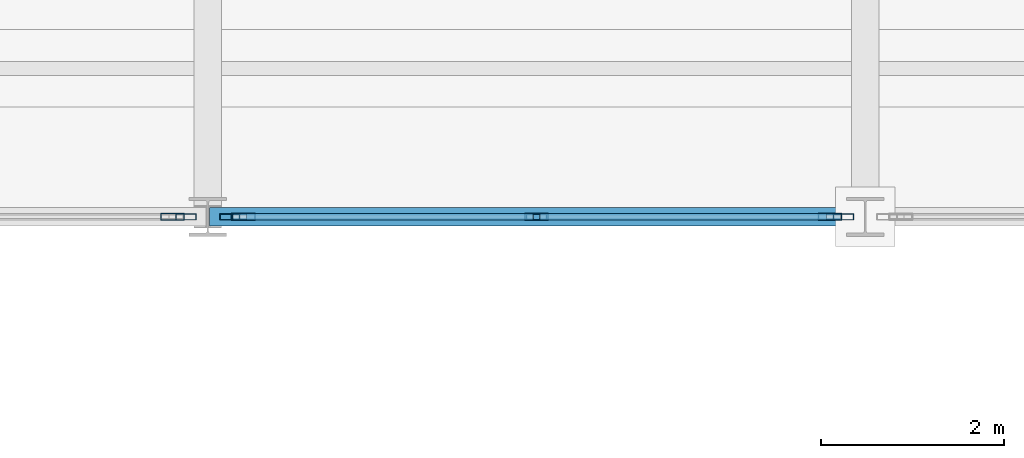
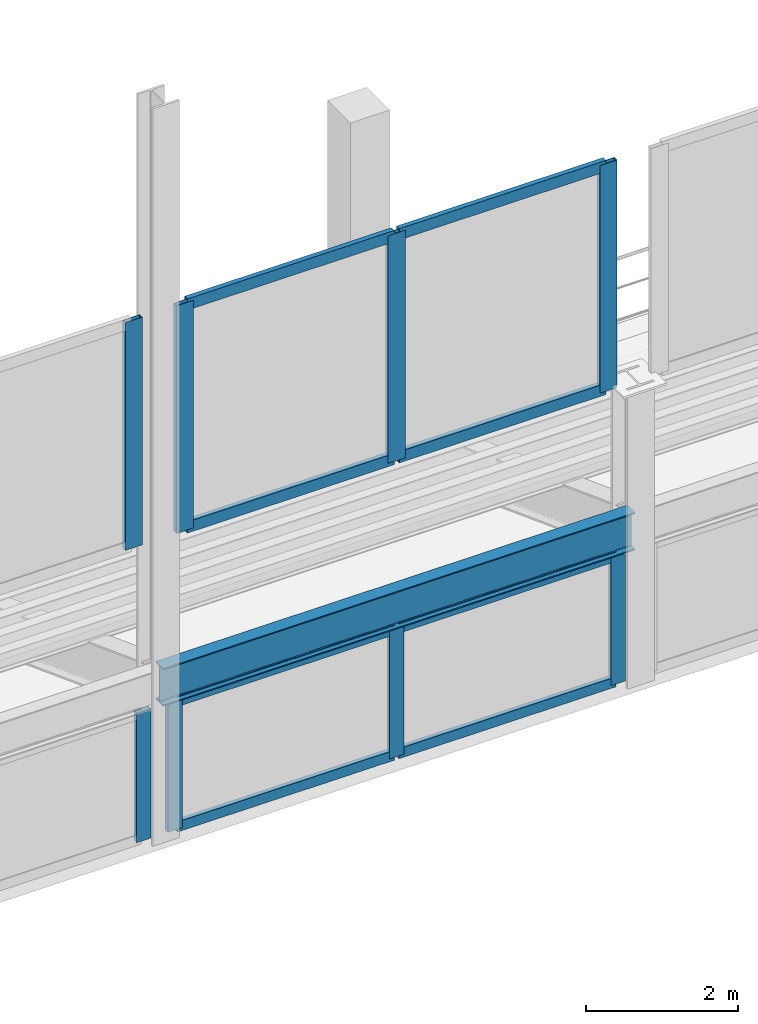
# One storey, part 26 of 120: 16 members, 1 beam, 4 elements without a shape of their own.
"""IFC4 building model written with IfcOpenShell, lengths in metres."""

from ifc_helpers import new_model, si_unit, direction, frame, origin, origin_2d, place, context, subcontext, project, spatial, hollow_rectangle, i_section, extrude, material, material_profile, profile_set, type_object, element, aggregate, save


model = new_model("IFC4")

# Units and contexts
model_context = context("Model", 3, precision=1e-05, world=origin(), true_north=direction((0.0, 1.0)))
body_context = subcontext(model_context, "Body", "Model", "MODEL_VIEW")
ifc_project = project(units=[si_unit("LENGTHUNIT", "METRE"), si_unit("AREAUNIT", "SQUARE_METRE"), si_unit("VOLUMEUNIT", "CUBIC_METRE"), si_unit("PLANEANGLEUNIT", "RADIAN"), si_unit("MASSUNIT", "GRAM", prefix="KILO")], contexts=[model_context])

# Site, building, storey
site_placement = place(None, origin())
site = spatial("IfcSite", under=ifc_project, at=site_placement, CompositionType="ELEMENT")
building_placement = place(site_placement, origin())
building = spatial("IfcBuilding", under=site, at=building_placement, Name="Vesperath Aquatics Centre", CompositionType="ELEMENT")
storey_placement = place(building_placement, frame((0.0, 0.0, 10.199951171875)))
storey = spatial("IfcBuildingStorey", under=building, at=storey_placement, Name="L02", CompositionType="ELEMENT", Elevation=10.199951171875)

# Beam
ifc_material_1 = material(Name="Steel Q355D", Category="steel")
ifc_material_profile_1 = material_profile(ifc_material_1, i_section(OverallWidth=0.199951171875, OverallDepth=0.60009765625, WebThickness=0.010986328125, FlangeThickness=0.01708984375, FilletRadius=0.02197265625, at=origin_2d()), Name="HN 600x200x11x17")
ifc_profile_set_1 = profile_set([ifc_material_profile_1], Name="Steel Q355D")
beam_type = type_object("IfcBeamType", Name="BM-RKH1", PredefinedType="BEAM", material=ifc_profile_set_1)
beam_placement = place(storey_placement, frame((64.820068359375, 14.39990234375, 2.400146484375), z_axis=(1.0, 0.0, 0.0), x_axis=(0.0, 1.0, 0.0)))
element("IfcBeam", 1, at=beam_placement, inside=storey, type_object=beam_type, Name="Upper Bowl Rim Girder RKH1 South 10-11", PredefinedType="BEAM", context=body_context, shape_type="SweptSolid", body=[
    extrude(i_section(OverallWidth=0.199951171875, OverallDepth=0.60009765625, WebThickness=0.010986328125, FlangeThickness=0.01708984375, FilletRadius=0.02197265625, at=origin_2d()), origin(), (0.0, 0.0, 1.0), 7.159912109375),
])

# Curtain wall, member
ifc_material_2 = material(Name="Thermally broken anodised bronze aluminium curtain wall", Category="aluminium")
curtain_wall_type_1 = type_object("IfcCurtainWallType", Name="CW-08", PredefinedType="NOTDEFINED", material=ifc_material_2)
curtain_wall_1_placement = place(storey_placement, origin())
curtain_wall_1 = element("IfcCurtainWall", 2, at=curtain_wall_1_placement, inside=storey, type_object=curtain_wall_type_1, Name="Natatorium Gable West Curtain Wall CW08 S-5W", PredefinedType="NOTDEFINED")
ifc_material_3 = material(Name="Thermally broken anodised aluminium", Category="aluminium")
ifc_material_profile_2 = material_profile(ifc_material_3, hollow_rectangle(XDim=0.074951171875, YDim=0.260009765625, WallThickness=0.006103515625, at=origin_2d()), Name="CWM 75x260x6")
ifc_profile_set_2 = profile_set([ifc_material_profile_2], Name="Thermally broken anodised aluminium")
member_type_1 = type_object("IfcMemberType", Name="MB-CWM1", PredefinedType="MULLION", material=ifc_profile_set_2)
member_1_placement = place(storey_placement, frame((64.41259765625, 14.39990234375, 4.75), z_axis=(0.0, 0.0, 1.0), x_axis=(0.0, 1.0, 0.0)))
member_1 = element("IfcMember", 3, at=member_1_placement, type_object=member_type_1, Name="CW08 mullion 3", PredefinedType="MULLION", context=body_context, shape_type="SweptSolid", body=[
    extrude(hollow_rectangle(XDim=0.074951171875, YDim=0.260009765625, WallThickness=0.006103515625, at=origin_2d()), origin(), (0.0, 0.0, 1.0), 3.650146484375),
])
aggregate(curtain_wall_1, [member_1])

# Curtain wall, members
curtain_wall_2_placement = place(storey_placement, origin())
curtain_wall_2 = element("IfcCurtainWall", 4, at=curtain_wall_2_placement, inside=storey, type_object=curtain_wall_type_1, Name="Natatorium Gable East Curtain Wall CW08 S-5E", PredefinedType="NOTDEFINED")
member_2_placement = place(storey_placement, frame((65.1875, 14.39990234375, 4.75), z_axis=(0.0, 0.0, 1.0), x_axis=(0.0, 1.0, 0.0)))
member_2 = element("IfcMember", 5, at=member_2_placement, type_object=member_type_1, Name="CW08 mullion 1", PredefinedType="MULLION", context=body_context, shape_type="SweptSolid", body=[
    extrude(hollow_rectangle(XDim=0.074951171875, YDim=0.260009765625, WallThickness=0.006103515625, at=origin_2d()), origin(), (0.0, 0.0, 1.0), 3.650146484375),
])
member_3_placement = place(storey_placement, frame((68.39990234375, 14.39990234375, 4.75), z_axis=(0.0, 0.0, 1.0), x_axis=(0.0, 1.0, 0.0)))
member_3 = element("IfcMember", 6, at=member_3_placement, type_object=member_type_1, Name="CW08 mullion 2", PredefinedType="MULLION", context=body_context, shape_type="SweptSolid", body=[
    extrude(hollow_rectangle(XDim=0.074951171875, YDim=0.260009765625, WallThickness=0.006103515625, at=origin_2d()), origin(), (0.0, 0.0, 1.0), 3.650146484375),
])
member_4_placement = place(storey_placement, frame((71.612548828125, 14.39990234375, 4.75), z_axis=(0.0, 0.0, 1.0), x_axis=(0.0, 1.0, 0.0)))
member_4 = element("IfcMember", 7, at=member_4_placement, type_object=member_type_1, Name="CW08 mullion 3", PredefinedType="MULLION", context=body_context, shape_type="SweptSolid", body=[
    extrude(hollow_rectangle(XDim=0.074951171875, YDim=0.260009765625, WallThickness=0.006103515625, at=origin_2d()), origin(), (0.0, 0.0, 1.0), 3.650146484375),
])

# Curtain wall, member
curtain_wall_type_2 = type_object("IfcCurtainWallType", Name="CW-06", PredefinedType="NOTDEFINED", material=ifc_material_2)
curtain_wall_3_placement = place(storey_placement, origin())
curtain_wall_3 = element("IfcCurtainWall", 8, at=curtain_wall_3_placement, inside=storey, type_object=curtain_wall_type_2, Name="Facade Curtain Wall CW06 L02_S_08_02", PredefinedType="NOTDEFINED")
ifc_material_profile_3 = material_profile(ifc_material_3, hollow_rectangle(XDim=0.070068359375, YDim=0.219970703125, WallThickness=0.0048828125, at=origin_2d()), Name="CWM 70x220x5")
ifc_profile_set_3 = profile_set([ifc_material_profile_3], Name="Thermally broken anodised aluminium")
member_type_2 = type_object("IfcMemberType", Name="MB-CWM2", PredefinedType="MULLION", material=ifc_profile_set_3)
member_5_placement = place(storey_placement, frame((64.5615234375, 14.39990234375, 0.0), z_axis=(0.0, 0.0, 1.0), x_axis=(0.0, 1.0, 0.0)))
member_5 = element("IfcMember", 9, at=member_5_placement, type_object=member_type_2, Name="CW06 mullion 3", PredefinedType="MULLION", context=body_context, shape_type="SweptSolid", body=[
    extrude(hollow_rectangle(XDim=0.070068359375, YDim=0.219970703125, WallThickness=0.0048828125, at=origin_2d()), origin(), (0.0, 0.0, 1.0), 2.080078125),
])
aggregate(curtain_wall_3, [member_5])

# Curtain wall, members
curtain_wall_4_placement = place(storey_placement, origin())
curtain_wall_4 = element("IfcCurtainWall", 10, at=curtain_wall_4_placement, inside=storey, type_object=curtain_wall_type_2, Name="Facade Curtain Wall CW06 L02_S_09_02", PredefinedType="NOTDEFINED")
member_6_placement = place(storey_placement, frame((65.03857421875, 14.39990234375, 0.0), z_axis=(0.0, 0.0, 1.0), x_axis=(0.0, 1.0, 0.0)))
member_6 = element("IfcMember", 11, at=member_6_placement, type_object=member_type_2, Name="CW06 mullion 1", PredefinedType="MULLION", context=body_context, shape_type="SweptSolid", body=[
    extrude(hollow_rectangle(XDim=0.070068359375, YDim=0.219970703125, WallThickness=0.0048828125, at=origin_2d()), origin(), (0.0, 0.0, 1.0), 2.080078125),
])
member_7_placement = place(storey_placement, frame((68.39990234375, 14.39990234375, 0.0), z_axis=(0.0, 0.0, 1.0), x_axis=(0.0, 1.0, 0.0)))
member_7 = element("IfcMember", 12, at=member_7_placement, type_object=member_type_2, Name="CW06 mullion 2", PredefinedType="MULLION", context=body_context, shape_type="SweptSolid", body=[
    extrude(hollow_rectangle(XDim=0.070068359375, YDim=0.219970703125, WallThickness=0.0048828125, at=origin_2d()), origin(), (0.0, 0.0, 1.0), 2.080078125),
])
member_8_placement = place(storey_placement, frame((71.761474609375, 14.39990234375, 0.0), z_axis=(0.0, 0.0, 1.0), x_axis=(0.0, 1.0, 0.0)))
member_8 = element("IfcMember", 13, at=member_8_placement, type_object=member_type_2, Name="CW06 mullion 3", PredefinedType="MULLION", context=body_context, shape_type="SweptSolid", body=[
    extrude(hollow_rectangle(XDim=0.070068359375, YDim=0.219970703125, WallThickness=0.0048828125, at=origin_2d()), origin(), (0.0, 0.0, 1.0), 2.080078125),
])

# Member
ifc_material_profile_4 = material_profile(ifc_material_3, hollow_rectangle(XDim=0.074951171875, YDim=0.179931640625, WallThickness=0.0048828125, at=origin_2d()), Name="CWT 75x180x5")
ifc_profile_set_4 = profile_set([ifc_material_profile_4], Name="Thermally broken anodised aluminium")
member_type_3 = type_object("IfcMemberType", Name="MB-CWT1", PredefinedType="USERDEFINED", material=ifc_profile_set_4)
member_9_placement = place(storey_placement, frame((65.22509765625, 14.39990234375, 4.78759765625), z_axis=(1.0, 0.0, 0.0), x_axis=(0.0, 1.0, 0.0)))
member_9 = element("IfcMember", 14, at=member_9_placement, type_object=member_type_3, Name="CW08 transom 1.1", ObjectType="TRANSOM", PredefinedType="USERDEFINED", context=body_context, shape_type="SweptSolid", body=[
    extrude(hollow_rectangle(XDim=0.074951171875, YDim=0.179931640625, WallThickness=0.0048828125, at=origin_2d()), origin(), (0.0, 0.0, 1.0), 3.137451171875),
])

member_10_placement = place(storey_placement, frame((65.22509765625, 14.39990234375, 8.362548828125), z_axis=(1.0, 0.0, 0.0), x_axis=(0.0, 1.0, 0.0)))
member_10 = element("IfcMember", 15, at=member_10_placement, type_object=member_type_3, Name="CW08 transom 1.2", ObjectType="TRANSOM", PredefinedType="USERDEFINED", context=body_context, shape_type="SweptSolid", body=[
    extrude(hollow_rectangle(XDim=0.074951171875, YDim=0.179931640625, WallThickness=0.0048828125, at=origin_2d()), origin(), (0.0, 0.0, 1.0), 3.137451171875),
])

member_11_placement = place(storey_placement, frame((68.4375, 14.39990234375, 4.78759765625), z_axis=(1.0, 0.0, 0.0), x_axis=(0.0, 1.0, 0.0)))
member_11 = element("IfcMember", 16, at=member_11_placement, type_object=member_type_3, Name="CW08 transom 2.1", ObjectType="TRANSOM", PredefinedType="USERDEFINED", context=body_context, shape_type="SweptSolid", body=[
    extrude(hollow_rectangle(XDim=0.074951171875, YDim=0.179931640625, WallThickness=0.0048828125, at=origin_2d()), origin(), (0.0, 0.0, 1.0), 3.137451171875),
])

member_12_placement = place(storey_placement, frame((68.4375, 14.39990234375, 8.362548828125), z_axis=(1.0, 0.0, 0.0), x_axis=(0.0, 1.0, 0.0)))
member_12 = element("IfcMember", 17, at=member_12_placement, type_object=member_type_3, Name="CW08 transom 2.2", ObjectType="TRANSOM", PredefinedType="USERDEFINED", context=body_context, shape_type="SweptSolid", body=[
    extrude(hollow_rectangle(XDim=0.074951171875, YDim=0.179931640625, WallThickness=0.0048828125, at=origin_2d()), origin(), (0.0, 0.0, 1.0), 3.137451171875),
])

aggregate(curtain_wall_2, [member_2, member_3, member_4, member_9, member_10, member_11, member_12])

ifc_material_profile_5 = material_profile(ifc_material_3, hollow_rectangle(XDim=0.070068359375, YDim=0.159912109375, WallThickness=0.0048828125, at=origin_2d()), Name="CWT 70x160x5")
ifc_profile_set_5 = profile_set([ifc_material_profile_5], Name="Thermally broken anodised aluminium")
member_type_4 = type_object("IfcMemberType", Name="MB-CWT2", PredefinedType="USERDEFINED", material=ifc_profile_set_5)
member_13_placement = place(storey_placement, frame((65.073486328125, 14.39990234375, 0.03515625), z_axis=(1.0, 0.0, 0.0), x_axis=(0.0, 1.0, 0.0)))
member_13 = element("IfcMember", 18, at=member_13_placement, type_object=member_type_4, Name="CW06 transom 1.1", ObjectType="TRANSOM", PredefinedType="USERDEFINED", context=body_context, shape_type="SweptSolid", body=[
    extrude(hollow_rectangle(XDim=0.070068359375, YDim=0.159912109375, WallThickness=0.0048828125, at=origin_2d()), origin(), (0.0, 0.0, 1.0), 3.29150390625),
])

member_14_placement = place(storey_placement, frame((65.073486328125, 14.39990234375, 2.045166015625), z_axis=(1.0, 0.0, 0.0), x_axis=(0.0, 1.0, 0.0)))
member_14 = element("IfcMember", 19, at=member_14_placement, type_object=member_type_4, Name="CW06 transom 1.2", ObjectType="TRANSOM", PredefinedType="USERDEFINED", context=body_context, shape_type="SweptSolid", body=[
    extrude(hollow_rectangle(XDim=0.070068359375, YDim=0.159912109375, WallThickness=0.0048828125, at=origin_2d()), origin(), (0.0, 0.0, 1.0), 3.29150390625),
])

member_15_placement = place(storey_placement, frame((68.43505859375, 14.39990234375, 0.03515625), z_axis=(1.0, 0.0, 0.0), x_axis=(0.0, 1.0, 0.0)))
member_15 = element("IfcMember", 20, at=member_15_placement, type_object=member_type_4, Name="CW06 transom 2.1", ObjectType="TRANSOM", PredefinedType="USERDEFINED", context=body_context, shape_type="SweptSolid", body=[
    extrude(hollow_rectangle(XDim=0.070068359375, YDim=0.159912109375, WallThickness=0.0048828125, at=origin_2d()), origin(), (0.0, 0.0, 1.0), 3.29150390625),
])

member_16_placement = place(storey_placement, frame((68.43505859375, 14.39990234375, 2.045166015625), z_axis=(1.0, 0.0, 0.0), x_axis=(0.0, 1.0, 0.0)))
member_16 = element("IfcMember", 21, at=member_16_placement, type_object=member_type_4, Name="CW06 transom 2.2", ObjectType="TRANSOM", PredefinedType="USERDEFINED", context=body_context, shape_type="SweptSolid", body=[
    extrude(hollow_rectangle(XDim=0.070068359375, YDim=0.159912109375, WallThickness=0.0048828125, at=origin_2d()), origin(), (0.0, 0.0, 1.0), 3.29150390625),
])

aggregate(curtain_wall_4, [member_6, member_7, member_8, member_13, member_14, member_15, member_16])

save(model, "model.ifc")
